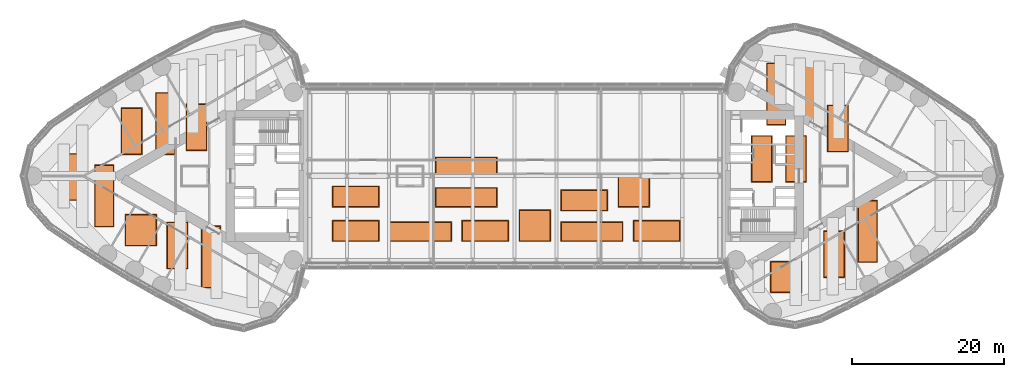
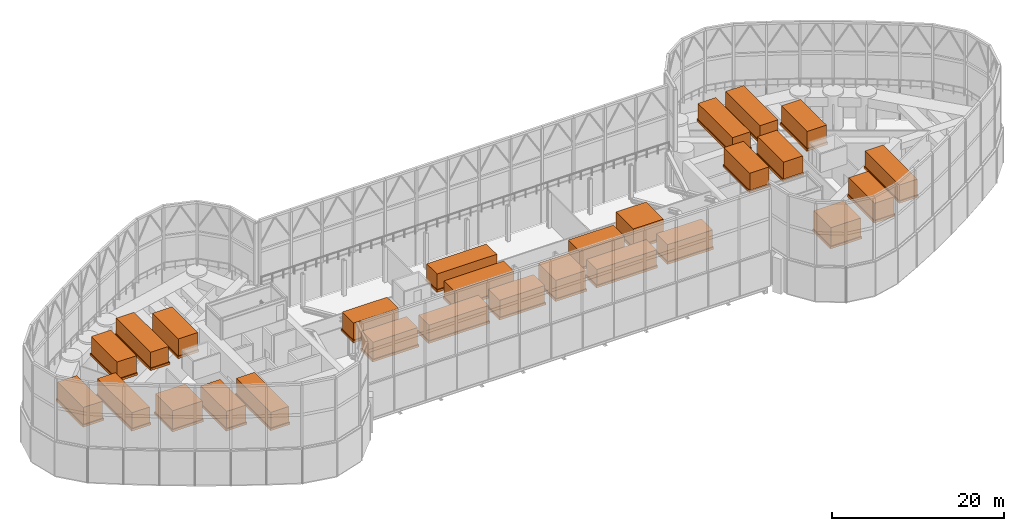
# One storey, part 33 of 33: 27 proxies.
"""IFC4 building model written with IfcOpenShell, lengths in metres."""

from ifc_helpers import new_model, si_unit, direction, frame, origin, origin_with_axes, origin_2d, place, context, subcontext, project, spatial, rectangle, extrude, material, type_object, element, save


model = new_model("IFC4")

# Units and contexts
model_context = context("Model", 3, precision=1e-05, world=origin(), true_north=direction((0.0, 1.0)))
body_context = subcontext(model_context, "Body", "Model", "MODEL_VIEW")
ifc_project = project(units=[si_unit("LENGTHUNIT", "METRE"), si_unit("AREAUNIT", "SQUARE_METRE"), si_unit("VOLUMEUNIT", "CUBIC_METRE"), si_unit("PLANEANGLEUNIT", "RADIAN"), si_unit("MASSUNIT", "GRAM", prefix="KILO")], contexts=[model_context])

# Site, building, storey
site_placement = place(None, origin())
site = spatial("IfcSite", under=ifc_project, at=site_placement, CompositionType="ELEMENT")
building_placement = place(site_placement, origin())
building = spatial("IfcBuilding", under=site, at=building_placement, Name="Lancet Gate Hotel", CompositionType="ELEMENT")
storey_placement = place(building_placement, frame((0.0, 0.0, 268.300048828125)))
storey = spatial("IfcBuildingStorey", under=building, at=storey_placement, Name="L70", CompositionType="ELEMENT", Elevation=268.300048828125)

# Proxies
ifc_material_1 = material(Name="Galvanised steel casing", Category="steel")
building_element_proxy_type_1 = type_object("IfcBuildingElementProxyType", Name="Crown air handling unit 6000x2600", PredefinedType="USERDEFINED", material=ifc_material_1)
for number, where, z_axis, x_axis, name in (
    (1, (-58.257080078125, -0.114990234375, 4.97998046875), (0.0, 0.0, 1.0), (1.0, 0.0, 0.0), "T1 crown plant air handling unit CP1-01"),
    (2, (-50.257080078125, 5.885009765625, 4.97998046875), (0.0, 0.0, 1.0), (1.0, 0.0, 0.0), "T1 crown plant air handling unit CP1-03"),
    (3, (-44.257080078125, -9.114990234375, 4.97998046875), (0.0, 0.0, 1.0), (1.0, 0.0, 0.0), "T1 crown plant air handling unit CP1-06"),
    (4, (-41.757080078125, 6.385009765625, 4.97998046875), (0.0, 0.0, 1.0), (1.0, 0.0, 0.0), "T1 crown plant air handling unit CP1-07"),
    (5, (32.419921875, 2.25, 4.97998046875), (0.0, 0.0, 1.0), (1.0, 0.0, 0.0), "T2 crown plant air handling unit CP1-01"),
    (6, (36.919921875, 2.25, 4.97998046875), (0.0, 0.0, 1.0), (1.0, 0.0, 0.0), "T2 crown plant air handling unit CP1-03"),
    (7, (41.919921875, -10.25, 4.97998046875), (0.0, 0.0, 1.0), (1.0, 0.0, 0.0), "T2 crown plant air handling unit CP1-06"),
    (8, (42.419921875, 6.25, 4.97998046875), (0.0, 0.0, 1.0), (1.0, 0.0, 0.0), "T2 crown plant air handling unit CP1-07"),
):
    element("IfcBuildingElementProxy", number, at=place(storey_placement, frame(where, z_axis=z_axis, x_axis=x_axis)), inside=storey, type_object=building_element_proxy_type_1, Name=name, ObjectType="CROWN PLANT", PredefinedType="USERDEFINED", context=body_context, shape_type="SweptSolid", body=[
        extrude(rectangle(XDim=6.199951171875, YDim=2.800048828125, at=origin_2d()), frame((0.0, 0.0, 0.0), z_axis=(0.0, 0.0, 1.0), x_axis=(0.0, 1.0, 0.0)), (0.0, 0.0, 1.0), 0.320068359375),
        extrude(rectangle(XDim=6.0, YDim=2.60009765625, at=origin_2d()), frame((0.0, 0.0, 0.3203125), z_axis=(0.0, 0.0, 1.0), x_axis=(0.0, 1.0, 0.0)), (0.0, 0.0, 1.0), 2.39990234375),
    ])
for number, where, z_axis, x_axis, name in (
    (9, (-20.85009765625, -7.199951171875, 4.97998046875), (0.0, 0.0, 1.0), (1.0, 0.0, 0.0), "BLK crown plant air handling unit CP1-01"),
    (10, (-3.85009765625, -7.199951171875, 4.97998046875), (0.0, 0.0, 1.0), (1.0, 0.0, 0.0), "BLK crown plant air handling unit CP1-03"),
    (11, (18.64990234375, -7.199951171875, 4.97998046875), (0.0, 0.0, 1.0), (1.0, 0.0, 0.0), "BLK crown plant air handling unit CP1-06"),
    (12, (9.14990234375, -3.199951171875, 4.97998046875), (0.0, 0.0, 1.0), (1.0, 0.0, 0.0), "BLK crown plant air handling unit CP1-07"),
    (13, (-20.85009765625, -2.699951171875, 4.97998046875), (0.0, 0.0, 1.0), (1.0, 0.0, 0.0), "BLK crown plant air handling unit CP1-09"),
):
    element("IfcBuildingElementProxy", number, at=place(storey_placement, frame(where, z_axis=z_axis, x_axis=x_axis)), inside=storey, type_object=building_element_proxy_type_1, Name=name, ObjectType="CROWN PLANT", PredefinedType="USERDEFINED", context=body_context, shape_type="SweptSolid", body=[
        extrude(rectangle(XDim=6.199951171875, YDim=2.800048828125, at=origin_2d()), origin_with_axes(), (0.0, 0.0, 1.0), 0.320068359375),
        extrude(rectangle(XDim=6.0, YDim=2.60009765625, at=origin_2d()), frame((0.0, 0.0, 0.3203125), z_axis=(0.0, 0.0, 1.0), x_axis=(1.0, 0.0, 0.0)), (0.0, 0.0, 1.0), 2.39990234375),
    ])
ifc_material_2 = material(Name="Galvanised steel casing", Category="steel")
building_element_proxy_type_2 = type_object("IfcBuildingElementProxyType", Name="Crown dry cooler 8000x2400", PredefinedType="USERDEFINED", material=ifc_material_2)
for number, where, z_axis, x_axis, name in (
    (14, (-53.85693359375, -2.614990234375, 4.97998046875), (0.0, 0.0, 1.0), (1.0, 0.0, 0.0), "T1 crown plant dry cooler CP2-02"),
    (15, (-45.85693359375, 6.885009765625, 4.97998046875), (0.0, 0.0, 1.0), (1.0, 0.0, 0.0), "T1 crown plant dry cooler CP2-05"),
    (16, (-39.85693359375, -10.614990234375, 4.97998046875), (0.0, 0.0, 1.0), (1.0, 0.0, 0.0), "T1 crown plant dry cooler CP2-08"),
    (17, (34.320068359375, 10.75, 4.97998046875), (0.0, 0.0, 1.0), (1.0, 0.0, 0.0), "T2 crown plant dry cooler CP2-02"),
    (18, (38.320068359375, 11.25, 4.97998046875), (0.0, 0.0, 1.0), (1.0, 0.0, 0.0), "T2 crown plant dry cooler CP2-05"),
    (19, (46.320068359375, -7.25, 4.97998046875), (0.0, 0.0, 1.0), (1.0, 0.0, 0.0), "T2 crown plant dry cooler CP2-08"),
):
    element("IfcBuildingElementProxy", number, at=place(storey_placement, frame(where, z_axis=z_axis, x_axis=x_axis)), inside=storey, type_object=building_element_proxy_type_2, Name=name, ObjectType="CROWN PLANT", PredefinedType="USERDEFINED", context=body_context, shape_type="SweptSolid", body=[
        extrude(rectangle(XDim=8.199951171875, YDim=2.60009765625, at=origin_2d()), frame((0.0, 0.0, 0.0), z_axis=(0.0, 0.0, 1.0), x_axis=(0.0, 1.0, 0.0)), (0.0, 0.0, 1.0), 0.320068359375),
        extrude(rectangle(XDim=8.0, YDim=2.39990234375, at=origin_2d()), frame((0.0, 0.0, 0.320068359375), z_axis=(0.0, 0.0, 1.0), x_axis=(0.0, 1.0, 0.0)), (0.0, 0.0, 1.0), 2.199951171875),
    ])
for number, where, z_axis, x_axis, name in (
    (20, (-12.35009765625, -7.300048828125, 4.97998046875), (0.0, 0.0, 1.0), (1.0, 0.0, 0.0), "BLK crown plant dry cooler CP2-02"),
    (21, (10.14990234375, -7.300048828125, 4.97998046875), (0.0, 0.0, 1.0), (1.0, 0.0, 0.0), "BLK crown plant dry cooler CP2-05"),
    (22, (-6.35009765625, -2.800048828125, 4.97998046875), (0.0, 0.0, 1.0), (1.0, 0.0, 0.0), "BLK crown plant dry cooler CP2-08"),
    (23, (-6.35009765625, 1.199951171875, 4.97998046875), (0.0, 0.0, 1.0), (1.0, 0.0, 0.0), "BLK crown plant dry cooler CP2-11"),
):
    element("IfcBuildingElementProxy", number, at=place(storey_placement, frame(where, z_axis=z_axis, x_axis=x_axis)), inside=storey, type_object=building_element_proxy_type_2, Name=name, ObjectType="CROWN PLANT", PredefinedType="USERDEFINED", context=body_context, shape_type="SweptSolid", body=[
        extrude(rectangle(XDim=8.199951171875, YDim=2.60009765625, at=origin_2d()), origin_with_axes(), (0.0, 0.0, 1.0), 0.320068359375),
        extrude(rectangle(XDim=8.0, YDim=2.39990234375, at=origin_2d()), frame((0.0, 0.0, 0.320068359375), z_axis=(0.0, 0.0, 1.0), x_axis=(1.0, 0.0, 0.0)), (0.0, 0.0, 1.0), 2.199951171875),
    ])
ifc_material_3 = material(Name="Galvanised steel tank", Category="steel")
building_element_proxy_type_3 = type_object("IfcBuildingElementProxyType", Name="Crown water tank 4000x4000", PredefinedType="USERDEFINED", material=ifc_material_3)
for number, where, z_axis, x_axis, name in (
    (24, (-49.056884765625, -7.114990234375, 4.97998046875), (0.0, 0.0, 1.0), (1.0, 0.0, 0.0), "T1 crown plant water tank CP3-04"),
    (25, (35.6201171875, -13.25, 4.97998046875), (0.0, 0.0, 1.0), (1.0, 0.0, 0.0), "T2 crown plant water tank CP3-04"),
):
    element("IfcBuildingElementProxy", number, at=place(storey_placement, frame(where, z_axis=z_axis, x_axis=x_axis)), inside=storey, type_object=building_element_proxy_type_3, Name=name, ObjectType="CROWN PLANT", PredefinedType="USERDEFINED", context=body_context, shape_type="SweptSolid", body=[
        extrude(rectangle(XDim=4.199951171875, YDim=4.199951171875, at=origin_2d()), frame((0.0, 0.0, 0.0), z_axis=(0.0, 0.0, 1.0), x_axis=(0.0, 1.0, 0.0)), (0.0, 0.0, 1.0), 0.320068359375),
        extrude(rectangle(XDim=4.0, YDim=4.0, at=origin_2d()), frame((0.0, 0.0, 0.31982421875), z_axis=(0.0, 0.0, 1.0), x_axis=(0.0, 1.0, 0.0)), (0.0, 0.0, 1.0), 2.60009765625),
    ])
for number, where, z_axis, x_axis, name in (
    (26, (2.64990234375, -6.5, 4.97998046875), (0.0, 0.0, 1.0), (1.0, 0.0, 0.0), "BLK crown plant water tank CP3-04"),
    (27, (15.64990234375, -2.0, 4.97998046875), (0.0, 0.0, 1.0), (1.0, 0.0, 0.0), "BLK crown plant water tank CP3-10"),
):
    element("IfcBuildingElementProxy", number, at=place(storey_placement, frame(where, z_axis=z_axis, x_axis=x_axis)), inside=storey, type_object=building_element_proxy_type_3, Name=name, ObjectType="CROWN PLANT", PredefinedType="USERDEFINED", context=body_context, shape_type="SweptSolid", body=[
        extrude(rectangle(XDim=4.199951171875, YDim=4.199951171875, at=origin_2d()), origin_with_axes(), (0.0, 0.0, 1.0), 0.320068359375),
        extrude(rectangle(XDim=4.0, YDim=4.0, at=origin_2d()), frame((0.0, 0.0, 0.31982421875), z_axis=(0.0, 0.0, 1.0), x_axis=(1.0, 0.0, 0.0)), (0.0, 0.0, 1.0), 2.60009765625),
    ])

save(model, "model.ifc")
